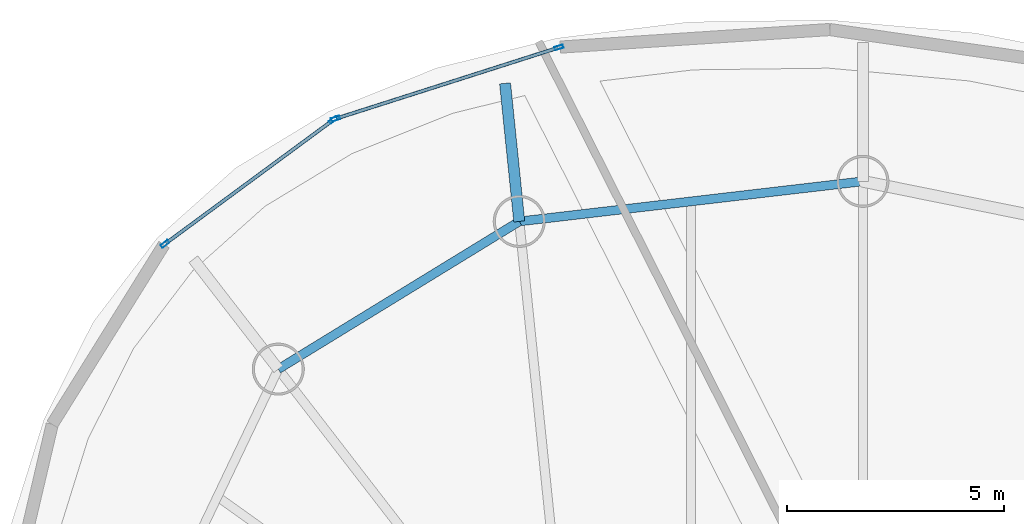
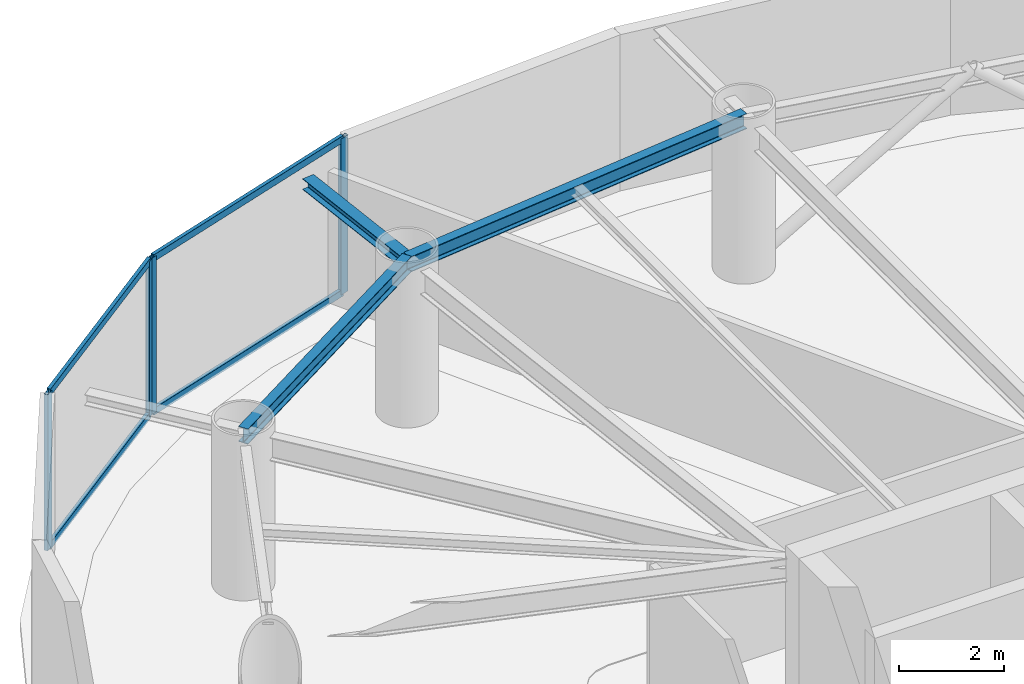
# One storey, part 10 of 20: 8 members, 3 beams, 2 elements without a shape of their own.
"""IFC4 building model written with IfcOpenShell, lengths in metres."""

import ifcopenshell
import ifcopenshell.guid

model = None  # the IFC model being written
_history = None  # IfcOwnerHistory: only IFC2X3 demands one
_inside = {}  # id of a spatial element -> (the spatial element, [elements in it])
_under = {}  # id of a project, library or spatial element -> (it, [spatial elements below it])
_declared = {}  # id of a project -> (the project, [libraries it declares])
_typed = {}  # id of a type object -> (the type object, [elements of that type])
_made_of = {}  # id of a material, layer set ... -> (it, [elements and type objects made of it])


def new_model(schema):
    """Start an empty IFC model of exactly this schema.

    Asked for "IFC4X3", IfcOpenShell would pick the latest addendum, in which some entities
    have other attributes; the version numbers below select the first issue.
    IFC2X3 requires an IfcOwnerHistory on every rooted entity: one is made here for all.
    """
    global model, _history
    if schema == "IFC4X3":
        model = ifcopenshell.file(schema_version=(4, 3, 0, 0))
    else:
        model = ifcopenshell.file(schema=schema)
    _inside.clear()
    _under.clear()
    _declared.clear()
    _typed.clear()
    _made_of.clear()
    _history = None
    if model.schema == "IFC2X3":
        org = make("IfcOrganization", Name="unknown")
        user = make(
            "IfcPersonAndOrganization",
            ThePerson=make("IfcPerson", FamilyName="unknown"),
            TheOrganization=org,
        )
        app = make(
            "IfcApplication",
            ApplicationDeveloper=org,
            Version="unknown",
            ApplicationFullName="unknown",
            ApplicationIdentifier="unknown",
        )
        _history = make(
            "IfcOwnerHistory",
            OwningUser=user,
            OwningApplication=app,
            ChangeAction="ADDED",
            CreationDate=0,
        )
    return model


def make(cls, **values):
    """One entity of the class cls with the attributes given. An attribute that is None is left unset."""
    return model.create_entity(
        cls, **{name: value for name, value in values.items() if value is not None}
    )


def rooted(cls, **values):
    """An entity with a GlobalId (a new one), such as an element, a storey or a relation."""
    return make(cls, GlobalId=ifcopenshell.guid.new(), OwnerHistory=_history, **values)


def si_unit(unit_type, name, prefix=None):
    """IfcSIUnit, for example si_unit("LENGTHUNIT", "METRE", prefix="MILLI")."""
    return make("IfcSIUnit", UnitType=unit_type, Prefix=prefix, Name=name)


def assignment(units):
    """IfcUnitAssignment: the units of a project."""
    return None if units is None else make("IfcUnitAssignment", Units=units)


def point(xyz):
    """IfcCartesianPoint."""
    return None if xyz is None else make("IfcCartesianPoint", Coordinates=xyz)


def direction(xyz):
    """IfcDirection."""
    return None if xyz is None else make("IfcDirection", DirectionRatios=xyz)


def frame(location, z_axis=None, x_axis=None):
    """IfcAxis2Placement3D, a coordinate frame: its origin and axes. An axis left out is left unset."""
    return make(
        "IfcAxis2Placement3D",
        Location=point(location),
        Axis=direction(z_axis),
        RefDirection=direction(x_axis),
    )


def frame_2d(location, x_axis=None):
    """IfcAxis2Placement2D, a coordinate frame in the plane: its origin and x axis."""
    return make(
        "IfcAxis2Placement2D", Location=point(location), RefDirection=direction(x_axis)
    )


def origin():
    """The frame at (0, 0, 0) with its axes left unset."""
    return frame((0.0, 0.0, 0.0))


def origin_2d():
    """The frame at (0, 0) in the plane with its x axis left unset."""
    return frame_2d((0.0, 0.0))


def place(relative_to, where):
    """IfcLocalPlacement: puts the frame where relative to a parent placement (None: the world)."""
    return make(
        "IfcLocalPlacement", PlacementRelTo=relative_to, RelativePlacement=where
    )


def context(
    kind, dimensions, precision=None, world=None, true_north=None, identifier=None
):
    """IfcGeometricRepresentationContext, for example the 3D "Model" context."""
    return make(
        "IfcGeometricRepresentationContext",
        ContextIdentifier=identifier,
        ContextType=kind,
        CoordinateSpaceDimension=dimensions,
        Precision=precision,
        WorldCoordinateSystem=world,
        TrueNorth=true_north,
    )


def subcontext(parent, identifier, kind, view, scale=None):
    """IfcGeometricRepresentationSubContext, for example "Body" below "Model"."""
    return make(
        "IfcGeometricRepresentationSubContext",
        ContextIdentifier=identifier,
        ContextType=kind,
        ParentContext=parent,
        TargetScale=scale,
        TargetView=view,
    )


def project(units=None, contexts=None):
    """IfcProject with its units and contexts."""
    return rooted(
        "IfcProject",
        Name="project",
        RepresentationContexts=contexts,
        UnitsInContext=assignment(units),
    )


def spatial(cls, under=None, at=None, **own):
    """A site, building, storey or space (cls), placed at a placement, below another one or the project."""
    s = rooted(cls, ObjectPlacement=at, **own)
    if under is not None:
        _under.setdefault(under.id(), (under, []))[1].append(s)
    return s


def profile(cls, at=None, kind="AREA", **sizes):
    """A parametric profile (cls). Its sizes go by their IFC names, for example OverallWidth=200.0."""
    return make(cls, ProfileType=kind, Position=at, **sizes)


def hollow_rectangle(**sizes):
    """IfcRectangleHollowProfileDef."""
    return profile("IfcRectangleHollowProfileDef", **sizes)


def i_section(**sizes):
    """IfcIShapeProfileDef."""
    return profile("IfcIShapeProfileDef", **sizes)


def extrude(swept, where, along, depth):
    """IfcExtrudedAreaSolid: the profile swept, set in the frame where, extruded along a direction by depth."""
    return make(
        "IfcExtrudedAreaSolid",
        SweptArea=swept,
        Position=where,
        ExtrudedDirection=direction(along),
        Depth=depth,
    )


def shape(context_of_items, identifier, shape_type, items):
    """IfcShapeRepresentation: the items that make up one representation, for example the "Body"."""
    return make(
        "IfcShapeRepresentation",
        ContextOfItems=context_of_items,
        RepresentationIdentifier=identifier,
        RepresentationType=shape_type,
        Items=items,
    )


def material(Name=None, Category=None):
    """IfcMaterial."""
    return make("IfcMaterial", Name=Name, Category=Category)


def layer(
    of_material, thickness, ventilated=None, Name=None, Category=None, Priority=None
):
    """IfcMaterialLayer: one layer of a wall or slab, of a material (None: an air gap)."""
    return make(
        "IfcMaterialLayer",
        Material=of_material,
        LayerThickness=thickness,
        IsVentilated=ventilated,
        Name=Name,
        Category=Category,
        Priority=Priority,
    )


def layer_set(layers, Name=None):
    """IfcMaterialLayerSet."""
    return make("IfcMaterialLayerSet", MaterialLayers=layers, LayerSetName=Name)


def material_profile(
    of_material, cross_section, Name=None, Category=None, Priority=None
):
    """IfcMaterialProfile: a cross section and its material."""
    return make(
        "IfcMaterialProfile",
        Name=Name,
        Material=of_material,
        Profile=cross_section,
        Priority=Priority,
        Category=Category,
    )


def profile_set(profiles, Name=None, composite=None):
    """IfcMaterialProfileSet."""
    return make(
        "IfcMaterialProfileSet",
        Name=Name,
        MaterialProfiles=profiles,
        CompositeProfile=composite,
    )


def made_of(thing, what):
    """Note that an element or type object is made of a material, layer set ...; save() writes the relation."""
    if what is not None:
        _made_of.setdefault(what.id(), (what, []))[1].append(thing)
    return thing


def type_object(cls, material=None, **own):
    """A type object (cls), such as IfcWallType, which elements share."""
    return made_of(rooted(cls, **own), material)


def element(
    cls,
    number,
    at=None,
    inside=None,
    cuts=None,
    type_object=None,
    material=None,
    context=None,
    identifier="Body",
    shape_type=None,
    held_by="IfcProductDefinitionShape",
    body=None,
    shapes=None,
    **own,
):
    """One element of the class cls, such as IfcWall. Its Tag is "e" and its number.

    at: its placement. inside: the storey or other place that contains it. cuts: it is an
    opening in that element (IfcRelVoidsElement). A single representation is given by context,
    identifier, shape_type and body (its items); several are given by shapes. held_by: the class
    of the entity that holds the representations. save() writes the other relations.
    """
    e = rooted(cls, Tag="e%d" % number, ObjectPlacement=at, **own)
    if body is not None:
        shapes = [shape(context, identifier, shape_type, body)]
    if shapes is not None:
        e.Representation = make(held_by, Representations=shapes)
    if inside is not None:
        _inside.setdefault(inside.id(), (inside, []))[1].append(e)
    if cuts is not None:
        rooted(
            "IfcRelVoidsElement", RelatingBuildingElement=cuts, RelatedOpeningElement=e
        )
    if type_object is not None:
        _typed.setdefault(type_object.id(), (type_object, []))[1].append(e)
    return made_of(e, material)


def aggregate(whole, parts):
    """IfcRelAggregates: a whole, such as a stair, and the parts it consists of."""
    return rooted("IfcRelAggregates", RelatingObject=whole, RelatedObjects=parts)


def save(model, path):
    """Write the relations noted so far, then the file.

    IfcRelAggregates (storeys below a building ...), IfcRelContainedInSpatialStructure (elements
    in a storey), IfcRelDefinesByType, IfcRelAssociatesMaterial and IfcRelDeclares: one each for
    every whole, place, type object, material and project.
    """
    for whole, parts in _under.values():
        aggregate(whole, parts)
    for where, things in _inside.values():
        rooted(
            "IfcRelContainedInSpatialStructure",
            RelatedElements=things,
            RelatingStructure=where,
        )
    for kind, things in _typed.values():
        rooted("IfcRelDefinesByType", RelatedObjects=things, RelatingType=kind)
    for what, things in _made_of.values():
        rooted("IfcRelAssociatesMaterial", RelatedObjects=things, RelatingMaterial=what)
    for by, libraries in _declared.values():
        rooted("IfcRelDeclares", RelatingContext=by, RelatedDefinitions=libraries)
    model.write(path)


model = new_model("IFC4")

# Units and contexts
model_context = context("Model", 3, precision=1e-05, world=origin(), true_north=direction((0.0, 1.0)))
body_context = subcontext(model_context, "Body", "Model", "MODEL_VIEW")
ifc_project = project(units=[si_unit("LENGTHUNIT", "METRE"), si_unit("AREAUNIT", "SQUARE_METRE"), si_unit("VOLUMEUNIT", "CUBIC_METRE"), si_unit("PLANEANGLEUNIT", "RADIAN"), si_unit("MASSUNIT", "GRAM", prefix="KILO")], contexts=[model_context])

# Site, building, storey
site_placement = place(None, origin())
site = spatial("IfcSite", under=ifc_project, at=site_placement, CompositionType="ELEMENT")
building_placement = place(site_placement, origin())
building = spatial("IfcBuilding", under=site, at=building_placement, Name="Bramvorn Convention Spire", CompositionType="ELEMENT")
storey_placement = place(building_placement, frame((0.0, 0.0, 202.0)))
storey = spatial("IfcBuildingStorey", under=building, at=storey_placement, Name="L51", CompositionType="ELEMENT", Elevation=202.0)

# Beams
ifc_material_1 = material(Name="Steel CSA G40.21 Grade 350 (350W)", Category="steel")
ifc_material_profile_1 = material_profile(ifc_material_1, i_section(OverallWidth=0.25390625, OverallDepth=0.2529296875, WebThickness=0.008544921875, FlangeThickness=0.01416015625, FilletRadius=0.011962890625, at=origin_2d()))
ifc_profile_set_1 = profile_set([ifc_material_profile_1], Name="Steel CSA G40.21 Grade 350 (350W) - W250X73")
beam_type_1 = type_object("IfcBeamType", Name="BM-W250X73", PredefinedType="BEAM", material=ifc_profile_set_1)
beam_1_placement = place(storey_placement, frame((25.49560546875, 45.663818359375, 3.493408203125), z_axis=(-0.10223018875, 0.994760769486, 0.0), x_axis=(-0.994760769486, -0.10223018875, 0.0)))
element("IfcBeam", 1, at=beam_1_placement, inside=storey, type_object=beam_type_1, Name="L51 slab-edge cantilever tip beam MC08", PredefinedType="BEAM", context=body_context, shape_type="SweptSolid", body=[
    extrude(i_section(OverallWidth=0.25390625, OverallDepth=0.2529296875, WebThickness=0.008544921875, FlangeThickness=0.01416015625, FilletRadius=0.011962890625, at=origin_2d()), origin(), (0.0, 0.0, 1.0), 3.2001953125),
])
ifc_material_profile_2 = material_profile(ifc_material_1, i_section(OverallWidth=0.205078125, OverallDepth=0.35400390625, WebThickness=0.009521484375, FlangeThickness=0.016845703125, FilletRadius=0.014892578125, at=origin_2d()))
ifc_profile_set_2 = profile_set([ifc_material_profile_2], Name="Steel CSA G40.21 Grade 350 (350W) - W360X79")
beam_type_2 = type_object("IfcBeamType", Name="BM-W360X79", PredefinedType="JOIST", material=ifc_profile_set_2)
beam_2_placement = place(storey_placement, frame((33.416259765625, 46.58837890625, 3.443115234375), z_axis=(-0.993256148339, -0.115940604561, 0.0), x_axis=(0.115940604561, -0.993256148339, 0.0)))
element("IfcBeam", 2, at=beam_2_placement, inside=storey, type_object=beam_type_2, Name="L51 mega-column ring beam 07", PredefinedType="JOIST", context=body_context, shape_type="SweptSolid", body=[
    extrude(i_section(OverallWidth=0.205078125, OverallDepth=0.35400390625, WebThickness=0.009521484375, FlangeThickness=0.016845703125, FilletRadius=0.014892578125, at=origin_2d()), origin(), (0.0, 0.0, 1.0), 7.974365234375),
])
beam_3_placement = place(storey_placement, frame((25.49560546875, 45.663818359375, 3.443115234375), z_axis=(-0.852616873135, -0.522536570629, 0.0), x_axis=(0.522536570629, -0.852616873135, 0.0)))
element("IfcBeam", 3, at=beam_3_placement, inside=storey, type_object=beam_type_2, Name="L51 mega-column ring beam 08", PredefinedType="JOIST", context=body_context, shape_type="SweptSolid", body=[
    extrude(i_section(OverallWidth=0.205078125, OverallDepth=0.35400390625, WebThickness=0.009521484375, FlangeThickness=0.016845703125, FilletRadius=0.014892578125, at=origin_2d()), origin(), (0.0, 0.0, 1.0), 6.513916015625),
])

# Curtain wall, members
ifc_material_2 = material(Name="Anodised Bronze Unitised Curtain Wall", Category="aluminium")
ifc_layer = layer(ifc_material_2, 0.179931640625)
ifc_layer_set = layer_set([ifc_layer], Name="Anodised Bronze Unitised Curtain Wall - CW-OFF-FRIT")
curtain_wall_type = type_object("IfcCurtainWallType", Name="CW-OFF-FRIT", PredefinedType="USERDEFINED", material=ifc_layer_set)
curtain_wall_1_placement = place(storey_placement, origin())
curtain_wall_1 = element("IfcCurtainWall", 4, at=curtain_wall_1_placement, inside=storey, type_object=curtain_wall_type, Name="L51 fritted glass curtain wall 11", ObjectType="UNITISED CURTAIN WALL", PredefinedType="USERDEFINED")
ifc_material_3 = material(Name="Anodised Bronze Aluminium 6063-T6", Category="aluminium")
ifc_material_profile_3 = material_profile(ifc_material_3, hollow_rectangle(XDim=0.080078125, YDim=0.199951171875, WallThickness=0.00390625, InnerFilletRadius=0.0009765625, OuterFilletRadius=0.00390625, at=origin_2d()))
ifc_profile_set_3 = profile_set([ifc_material_profile_3], Name="Anodised Bronze Aluminium 6063-T6 - CWM80X200")
member_type_1 = type_object("IfcMemberType", Name="CW-MUL-180", PredefinedType="MULLION", material=ifc_profile_set_3)
member_1_placement = place(storey_placement, frame((21.260986328125, 48.0302734375, 0.0), z_axis=(0.0, 0.0, 1.0), x_axis=(-0.303975507813, 0.952679846879, 0.0)))
member_1 = element("IfcMember", 5, at=member_1_placement, type_object=member_type_1, Name="CW3 mullion 1", PredefinedType="MULLION", context=body_context, shape_type="SweptSolid", body=[
    extrude(hollow_rectangle(XDim=0.080078125, YDim=0.199951171875, WallThickness=0.00390625, InnerFilletRadius=0.0009765625, OuterFilletRadius=0.00390625, at=origin_2d()), origin(), (0.0, 0.0, 1.0), 3.6201171875),
])
member_2_placement = place(storey_placement, frame((26.409912109375, 49.673095703125, 0.0), z_axis=(0.0, 0.0, 1.0), x_axis=(-0.303975507813, 0.952679846879, 0.0)))
member_2 = element("IfcMember", 6, at=member_2_placement, type_object=member_type_1, Name="CW3 mullion 2", PredefinedType="MULLION", context=body_context, shape_type="SweptSolid", body=[
    extrude(hollow_rectangle(XDim=0.080078125, YDim=0.199951171875, WallThickness=0.00390625, InnerFilletRadius=0.0009765625, OuterFilletRadius=0.00390625, at=origin_2d()), origin(), (0.0, 0.0, 1.0), 3.6201171875),
])

curtain_wall_2_placement = place(storey_placement, origin())
curtain_wall_2 = element("IfcCurtainWall", 7, at=curtain_wall_2_placement, inside=storey, type_object=curtain_wall_type, Name="L51 fritted glass curtain wall 12", ObjectType="UNITISED CURTAIN WALL", PredefinedType="USERDEFINED")
member_3_placement = place(storey_placement, frame((17.3310546875, 45.146484375, 0.0), z_axis=(0.0, 0.0, 1.0), x_axis=(-0.593182948473, 0.805067692583, 0.0)))
member_3 = element("IfcMember", 8, at=member_3_placement, type_object=member_type_1, Name="CW3 mullion 1", PredefinedType="MULLION", context=body_context, shape_type="SweptSolid", body=[
    extrude(hollow_rectangle(XDim=0.080078125, YDim=0.199951171875, WallThickness=0.00390625, InnerFilletRadius=0.0009765625, OuterFilletRadius=0.00390625, at=origin_2d()), origin(), (0.0, 0.0, 1.0), 3.6201171875),
])
member_4_placement = place(storey_placement, frame((21.208251953125, 48.00341796875, 0.0), z_axis=(0.0, 0.0, 1.0), x_axis=(-0.593182948473, 0.805067692583, 0.0)))
member_4 = element("IfcMember", 9, at=member_4_placement, type_object=member_type_1, Name="CW3 mullion 2", PredefinedType="MULLION", context=body_context, shape_type="SweptSolid", body=[
    extrude(hollow_rectangle(XDim=0.080078125, YDim=0.199951171875, WallThickness=0.00390625, InnerFilletRadius=0.0009765625, OuterFilletRadius=0.00390625, at=origin_2d()), origin(), (0.0, 0.0, 1.0), 3.6201171875),
])

# Member
ifc_material_profile_4 = material_profile(ifc_material_3, hollow_rectangle(XDim=0.080078125, YDim=0.159912109375, WallThickness=0.00390625, InnerFilletRadius=0.0009765625, OuterFilletRadius=0.00390625, at=origin_2d()))
ifc_profile_set_4 = profile_set([ifc_material_profile_4], Name="Anodised Bronze Aluminium 6063-T6 - CWT80X160")
member_type_2 = type_object("IfcMemberType", Name="CW-TRN-150", PredefinedType="USERDEFINED", material=ifc_profile_set_4)
member_5_placement = place(storey_placement, frame((21.28955078125, 48.039306640625, 0.030029296875), z_axis=(0.952674692694, 0.303991660907, 0.0), x_axis=(-0.303991660907, 0.952674692694, 0.0)))
member_5 = element("IfcMember", 10, at=member_5_placement, type_object=member_type_2, Name="CW3 transom 1.1", ObjectType="TRANSOM", PredefinedType="USERDEFINED", context=body_context, shape_type="SweptSolid", body=[
    extrude(hollow_rectangle(XDim=0.080078125, YDim=0.159912109375, WallThickness=0.00390625, InnerFilletRadius=0.0009765625, OuterFilletRadius=0.00390625, at=origin_2d()), origin(), (0.0, 0.0, 1.0), 5.3447265625),
])

member_6_placement = place(storey_placement, frame((21.28955078125, 48.039306640625, 3.590087890625), z_axis=(0.952674692694, 0.303991660907, 0.0), x_axis=(-0.303991660907, 0.952674692694, 0.0)))
member_6 = element("IfcMember", 11, at=member_6_placement, type_object=member_type_2, Name="CW3 transom 1.2", ObjectType="TRANSOM", PredefinedType="USERDEFINED", context=body_context, shape_type="SweptSolid", body=[
    extrude(hollow_rectangle(XDim=0.080078125, YDim=0.159912109375, WallThickness=0.00390625, InnerFilletRadius=0.0009765625, OuterFilletRadius=0.00390625, at=origin_2d()), origin(), (0.0, 0.0, 1.0), 5.3447265625),
])

aggregate(curtain_wall_1, [member_1, member_2, member_5, member_6])

member_7_placement = place(storey_placement, frame((17.355224609375, 45.164306640625, 0.030029296875), z_axis=(0.805053256879, 0.593202540107, 0.0), x_axis=(-0.593202540107, 0.805053256879, 0.0)))
member_7 = element("IfcMember", 12, at=member_7_placement, type_object=member_type_2, Name="CW3 transom 1.1", ObjectType="TRANSOM", PredefinedType="USERDEFINED", context=body_context, shape_type="SweptSolid", body=[
    extrude(hollow_rectangle(XDim=0.080078125, YDim=0.159912109375, WallThickness=0.00390625, InnerFilletRadius=0.0009765625, OuterFilletRadius=0.00390625, at=origin_2d()), origin(), (0.0, 0.0, 1.0), 4.756103515625),
])

member_8_placement = place(storey_placement, frame((17.355224609375, 45.164306640625, 3.590087890625), z_axis=(0.805053256879, 0.593202540107, 0.0), x_axis=(-0.593202540107, 0.805053256879, 0.0)))
member_8 = element("IfcMember", 13, at=member_8_placement, type_object=member_type_2, Name="CW3 transom 1.2", ObjectType="TRANSOM", PredefinedType="USERDEFINED", context=body_context, shape_type="SweptSolid", body=[
    extrude(hollow_rectangle(XDim=0.080078125, YDim=0.159912109375, WallThickness=0.00390625, InnerFilletRadius=0.0009765625, OuterFilletRadius=0.00390625, at=origin_2d()), origin(), (0.0, 0.0, 1.0), 4.756103515625),
])

aggregate(curtain_wall_2, [member_3, member_4, member_7, member_8])

save(model, "model.ifc")
